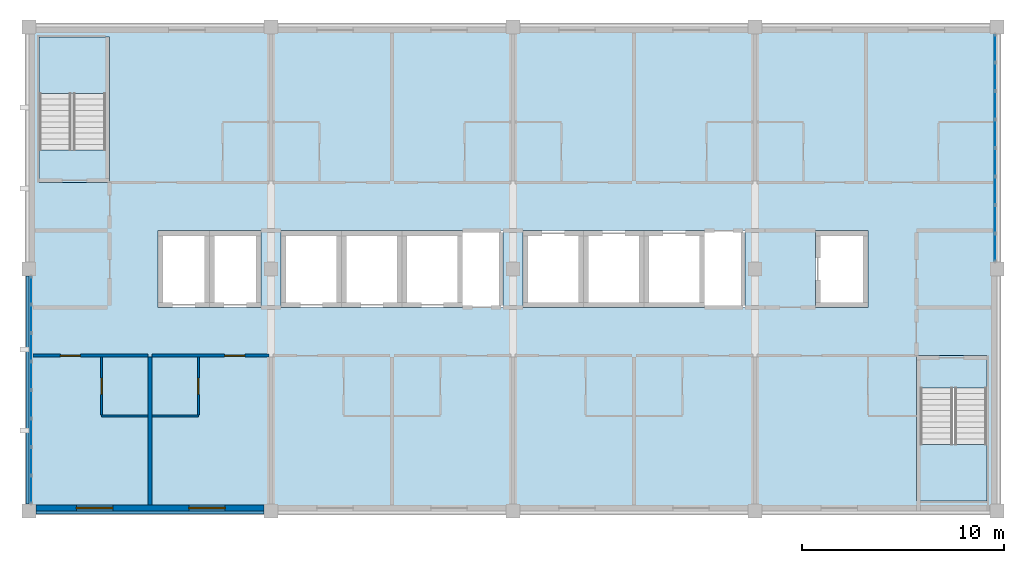
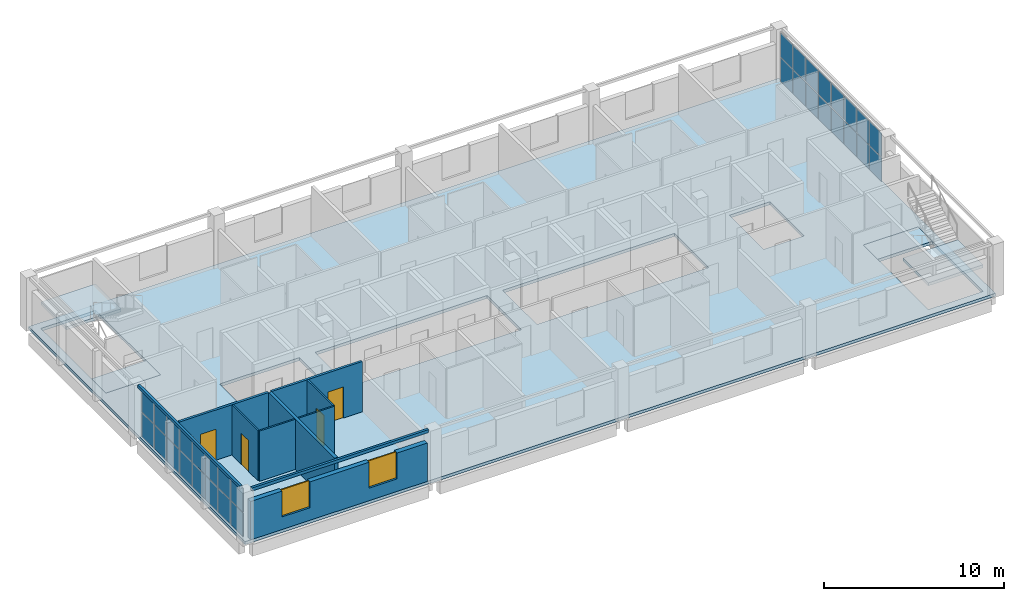
# One storey, part 5 of 11: 32 plates, 10 walls, 5 slabs, 4 doors, 2 windows, 6 openings, 4 elements without a shape of their own.
"""IFC4 building model written with IfcOpenShell, lengths in metres."""

from ifc_helpers import new_model, si_unit, direction, frame, frame_2d, origin, origin_2d, place, context, subcontext, project, spatial, polyline, rectangle, outline, extrude, material, layer, layer_set, type_object, element, fill, aggregate, save


model = new_model("IFC4")

# Units and contexts
model_context = context("Model", 3, precision=1e-05, world=origin(), true_north=direction((0.0, 1.0)))
body_context = subcontext(model_context, "Body", "Model", "MODEL_VIEW")
ifc_project = project(units=[si_unit("LENGTHUNIT", "METRE"), si_unit("AREAUNIT", "SQUARE_METRE"), si_unit("VOLUMEUNIT", "CUBIC_METRE"), si_unit("PLANEANGLEUNIT", "RADIAN"), si_unit("MASSUNIT", "GRAM", prefix="KILO")], contexts=[model_context])

# Site, building, storey
site_placement = place(None, origin())
site = spatial("IfcSite", under=ifc_project, at=site_placement, CompositionType="ELEMENT")
building_placement = place(site_placement, origin())
building = spatial("IfcBuilding", under=site, at=building_placement, Name="Lilac Gate Convention Centre", CompositionType="ELEMENT")
storey_placement = place(building_placement, frame((0.0, 0.0, 60.60009765625)))
storey = spatial("IfcBuildingStorey", under=building, at=storey_placement, Name="L15", CompositionType="ELEMENT", Elevation=60.60009765625)

# Curtain wall, plates
ifc_material_1 = material(Name="Aluminium framed double glazing", Category="aluminium")
ifc_layer_1 = layer(ifc_material_1, 0.199951171875)
ifc_layer_set_1 = layer_set([ifc_layer_1], Name="Aluminium framed double glazing")
curtain_wall_type = type_object("IfcCurtainWallType", Name="Unitised curtain wall 1500", PredefinedType="NOTDEFINED", material=ifc_layer_set_1)
curtain_wall_1_placement = place(storey_placement, origin())
curtain_wall_1 = element("IfcCurtainWall", 1, at=curtain_wall_1_placement, inside=storey, type_object=curtain_wall_type, Name="Curtain wall E L15 2", PredefinedType="NOTDEFINED")
ifc_material_2 = material(Name="Double glazed unit low emissivity")
ifc_layer_2 = layer(ifc_material_2, 0.028076171875)
ifc_layer_set_2 = layer_set([ifc_layer_2], Name="Double glazed unit low emissivity")
plate_type_1 = type_object("IfcPlateType", Name="Curtain wall glass panel 28", PredefinedType="CURTAIN_PANEL", material=ifc_layer_set_2)
plate_1_placement = place(storey_placement, frame((89.89990234375, 235.0712890625, 1.72998046875), z_axis=(0.0, 0.0, 1.0), x_axis=(0.0, 1.0, 0.0)))
plate_1 = element("IfcPlate", 2, at=plate_1_placement, type_object=plate_type_1, Name="CW panel 1.2", PredefinedType="CURTAIN_PANEL", context=body_context, shape_type="SweptSolid", body=[
    extrude(rectangle(XDim=1.322509765625, YDim=0.028076171875, at=origin_2d()), origin(), (0.0, 0.0, 1.0), 1.610107421875),
])
plate_2_placement = place(storey_placement, frame((89.89990234375, 236.46875, 1.72998046875), z_axis=(0.0, 0.0, 1.0), x_axis=(0.0, 1.0, 0.0)))
plate_2 = element("IfcPlate", 3, at=plate_2_placement, type_object=plate_type_1, Name="CW panel 2.2", PredefinedType="CURTAIN_PANEL", context=body_context, shape_type="SweptSolid", body=[
    extrude(rectangle(XDim=1.3525390625, YDim=0.028076171875, at=origin_2d()), origin(), (0.0, 0.0, 1.0), 1.610107421875),
])
plate_3_placement = place(storey_placement, frame((89.89990234375, 237.88134765625, 1.72998046875), z_axis=(0.0, 0.0, 1.0), x_axis=(0.0, 1.0, 0.0)))
plate_3 = element("IfcPlate", 4, at=plate_3_placement, type_object=plate_type_1, Name="CW panel 3.2", PredefinedType="CURTAIN_PANEL", context=body_context, shape_type="SweptSolid", body=[
    extrude(rectangle(XDim=1.3525390625, YDim=0.028076171875, at=origin_2d()), origin(), (0.0, 0.0, 1.0), 1.610107421875),
])
plate_4_placement = place(storey_placement, frame((89.89990234375, 239.293701171875, 1.72998046875), z_axis=(0.0, 0.0, 1.0), x_axis=(0.0, 1.0, 0.0)))
plate_4 = element("IfcPlate", 5, at=plate_4_placement, type_object=plate_type_1, Name="CW panel 4.2", PredefinedType="CURTAIN_PANEL", context=body_context, shape_type="SweptSolid", body=[
    extrude(rectangle(XDim=1.3525390625, YDim=0.028076171875, at=origin_2d()), origin(), (0.0, 0.0, 1.0), 1.610107421875),
])
plate_5_placement = place(storey_placement, frame((89.89990234375, 240.706298828125, 1.72998046875), z_axis=(0.0, 0.0, 1.0), x_axis=(0.0, 1.0, 0.0)))
plate_5 = element("IfcPlate", 6, at=plate_5_placement, type_object=plate_type_1, Name="CW panel 5.2", PredefinedType="CURTAIN_PANEL", context=body_context, shape_type="SweptSolid", body=[
    extrude(rectangle(XDim=1.3525390625, YDim=0.028076171875, at=origin_2d()), origin(), (0.0, 0.0, 1.0), 1.610107421875),
])
plate_6_placement = place(storey_placement, frame((89.89990234375, 242.11865234375, 1.72998046875), z_axis=(0.0, 0.0, 1.0), x_axis=(0.0, 1.0, 0.0)))
plate_6 = element("IfcPlate", 7, at=plate_6_placement, type_object=plate_type_1, Name="CW panel 6.2", PredefinedType="CURTAIN_PANEL", context=body_context, shape_type="SweptSolid", body=[
    extrude(rectangle(XDim=1.3525390625, YDim=0.028076171875, at=origin_2d()), origin(), (0.0, 0.0, 1.0), 1.610107421875),
])
plate_7_placement = place(storey_placement, frame((89.89990234375, 243.53125, 1.72998046875), z_axis=(0.0, 0.0, 1.0), x_axis=(0.0, 1.0, 0.0)))
plate_7 = element("IfcPlate", 8, at=plate_7_placement, type_object=plate_type_1, Name="CW panel 7.2", PredefinedType="CURTAIN_PANEL", context=body_context, shape_type="SweptSolid", body=[
    extrude(rectangle(XDim=1.3525390625, YDim=0.028076171875, at=origin_2d()), origin(), (0.0, 0.0, 1.0), 1.610107421875),
])
plate_8_placement = place(storey_placement, frame((89.89990234375, 244.9287109375, 1.72998046875), z_axis=(0.0, 0.0, 1.0), x_axis=(0.0, 1.0, 0.0)))
plate_8 = element("IfcPlate", 9, at=plate_8_placement, type_object=plate_type_1, Name="CW panel 8.2", PredefinedType="CURTAIN_PANEL", context=body_context, shape_type="SweptSolid", body=[
    extrude(rectangle(XDim=1.322509765625, YDim=0.028076171875, at=origin_2d()), origin(), (0.0, 0.0, 1.0), 1.610107421875),
])

curtain_wall_2_placement = place(storey_placement, origin())
curtain_wall_2 = element("IfcCurtainWall", 10, at=curtain_wall_2_placement, inside=storey, type_object=curtain_wall_type, Name="Curtain wall W L15 2", PredefinedType="NOTDEFINED")
plate_9_placement = place(storey_placement, frame((42.10009765625, 232.9287109375, 1.72998046875), z_axis=(0.0, 0.0, 1.0), x_axis=(0.0, -1.0, 0.0)))
plate_9 = element("IfcPlate", 11, at=plate_9_placement, type_object=plate_type_1, Name="CW panel 1.2", PredefinedType="CURTAIN_PANEL", context=body_context, shape_type="SweptSolid", body=[
    extrude(rectangle(XDim=1.322509765625, YDim=0.028076171875, at=origin_2d()), origin(), (0.0, 0.0, 1.0), 1.610107421875),
])
plate_10_placement = place(storey_placement, frame((42.10009765625, 231.53125, 1.72998046875), z_axis=(0.0, 0.0, 1.0), x_axis=(0.0, -1.0, 0.0)))
plate_10 = element("IfcPlate", 12, at=plate_10_placement, type_object=plate_type_1, Name="CW panel 2.2", PredefinedType="CURTAIN_PANEL", context=body_context, shape_type="SweptSolid", body=[
    extrude(rectangle(XDim=1.3525390625, YDim=0.028076171875, at=origin_2d()), origin(), (0.0, 0.0, 1.0), 1.610107421875),
])
plate_11_placement = place(storey_placement, frame((42.10009765625, 230.11865234375, 1.72998046875), z_axis=(0.0, 0.0, 1.0), x_axis=(0.0, -1.0, 0.0)))
plate_11 = element("IfcPlate", 13, at=plate_11_placement, type_object=plate_type_1, Name="CW panel 3.2", PredefinedType="CURTAIN_PANEL", context=body_context, shape_type="SweptSolid", body=[
    extrude(rectangle(XDim=1.3525390625, YDim=0.028076171875, at=origin_2d()), origin(), (0.0, 0.0, 1.0), 1.610107421875),
])
plate_12_placement = place(storey_placement, frame((42.10009765625, 228.706298828125, 1.72998046875), z_axis=(0.0, 0.0, 1.0), x_axis=(0.0, -1.0, 0.0)))
plate_12 = element("IfcPlate", 14, at=plate_12_placement, type_object=plate_type_1, Name="CW panel 4.2", PredefinedType="CURTAIN_PANEL", context=body_context, shape_type="SweptSolid", body=[
    extrude(rectangle(XDim=1.3525390625, YDim=0.028076171875, at=origin_2d()), origin(), (0.0, 0.0, 1.0), 1.610107421875),
])
plate_13_placement = place(storey_placement, frame((42.10009765625, 227.293701171875, 1.72998046875), z_axis=(0.0, 0.0, 1.0), x_axis=(0.0, -1.0, 0.0)))
plate_13 = element("IfcPlate", 15, at=plate_13_placement, type_object=plate_type_1, Name="CW panel 5.2", PredefinedType="CURTAIN_PANEL", context=body_context, shape_type="SweptSolid", body=[
    extrude(rectangle(XDim=1.3525390625, YDim=0.028076171875, at=origin_2d()), origin(), (0.0, 0.0, 1.0), 1.610107421875),
])
plate_14_placement = place(storey_placement, frame((42.10009765625, 225.88134765625, 1.72998046875), z_axis=(0.0, 0.0, 1.0), x_axis=(0.0, -1.0, 0.0)))
plate_14 = element("IfcPlate", 16, at=plate_14_placement, type_object=plate_type_1, Name="CW panel 6.2", PredefinedType="CURTAIN_PANEL", context=body_context, shape_type="SweptSolid", body=[
    extrude(rectangle(XDim=1.3525390625, YDim=0.028076171875, at=origin_2d()), origin(), (0.0, 0.0, 1.0), 1.610107421875),
])
plate_15_placement = place(storey_placement, frame((42.10009765625, 224.46875, 1.72998046875), z_axis=(0.0, 0.0, 1.0), x_axis=(0.0, -1.0, 0.0)))
plate_15 = element("IfcPlate", 17, at=plate_15_placement, type_object=plate_type_1, Name="CW panel 7.2", PredefinedType="CURTAIN_PANEL", context=body_context, shape_type="SweptSolid", body=[
    extrude(rectangle(XDim=1.3525390625, YDim=0.028076171875, at=origin_2d()), origin(), (0.0, 0.0, 1.0), 1.610107421875),
])
plate_16_placement = place(storey_placement, frame((42.10009765625, 223.0712890625, 1.72998046875), z_axis=(0.0, 0.0, 1.0), x_axis=(0.0, -1.0, 0.0)))
plate_16 = element("IfcPlate", 18, at=plate_16_placement, type_object=plate_type_1, Name="CW panel 8.2", PredefinedType="CURTAIN_PANEL", context=body_context, shape_type="SweptSolid", body=[
    extrude(rectangle(XDim=1.322509765625, YDim=0.028076171875, at=origin_2d()), origin(), (0.0, 0.0, 1.0), 1.610107421875),
])

# Plate
ifc_material_3 = material(Name="Insulated aluminium spandrel panel", Category="aluminium")
ifc_layer_3 = layer(ifc_material_3, 0.028076171875)
ifc_layer_set_3 = layer_set([ifc_layer_3], Name="Insulated aluminium spandrel panel")
plate_type_2 = type_object("IfcPlateType", Name="Curtain wall spandrel panel 28", PredefinedType="CURTAIN_PANEL", material=ifc_layer_set_3)
plate_17_placement = place(storey_placement, frame((89.89990234375, 235.0712890625, 0.06005859375), z_axis=(0.0, 0.0, 1.0), x_axis=(0.0, 1.0, 0.0)))
plate_17 = element("IfcPlate", 19, at=plate_17_placement, type_object=plate_type_2, Name="CW spandrel 1.1", PredefinedType="CURTAIN_PANEL", context=body_context, shape_type="SweptSolid", body=[
    extrude(rectangle(XDim=1.322509765625, YDim=0.028076171875, at=origin_2d()), origin(), (0.0, 0.0, 1.0), 1.60986328125),
])

plate_18_placement = place(storey_placement, frame((89.89990234375, 236.46875, 0.06005859375), z_axis=(0.0, 0.0, 1.0), x_axis=(0.0, 1.0, 0.0)))
plate_18 = element("IfcPlate", 20, at=plate_18_placement, type_object=plate_type_2, Name="CW spandrel 2.1", PredefinedType="CURTAIN_PANEL", context=body_context, shape_type="SweptSolid", body=[
    extrude(rectangle(XDim=1.3525390625, YDim=0.028076171875, at=origin_2d()), origin(), (0.0, 0.0, 1.0), 1.60986328125),
])

plate_19_placement = place(storey_placement, frame((89.89990234375, 237.88134765625, 0.06005859375), z_axis=(0.0, 0.0, 1.0), x_axis=(0.0, 1.0, 0.0)))
plate_19 = element("IfcPlate", 21, at=plate_19_placement, type_object=plate_type_2, Name="CW spandrel 3.1", PredefinedType="CURTAIN_PANEL", context=body_context, shape_type="SweptSolid", body=[
    extrude(rectangle(XDim=1.3525390625, YDim=0.028076171875, at=origin_2d()), origin(), (0.0, 0.0, 1.0), 1.60986328125),
])

plate_20_placement = place(storey_placement, frame((89.89990234375, 239.293701171875, 0.06005859375), z_axis=(0.0, 0.0, 1.0), x_axis=(0.0, 1.0, 0.0)))
plate_20 = element("IfcPlate", 22, at=plate_20_placement, type_object=plate_type_2, Name="CW spandrel 4.1", PredefinedType="CURTAIN_PANEL", context=body_context, shape_type="SweptSolid", body=[
    extrude(rectangle(XDim=1.3525390625, YDim=0.028076171875, at=origin_2d()), origin(), (0.0, 0.0, 1.0), 1.60986328125),
])

plate_21_placement = place(storey_placement, frame((89.89990234375, 240.706298828125, 0.06005859375), z_axis=(0.0, 0.0, 1.0), x_axis=(0.0, 1.0, 0.0)))
plate_21 = element("IfcPlate", 23, at=plate_21_placement, type_object=plate_type_2, Name="CW spandrel 5.1", PredefinedType="CURTAIN_PANEL", context=body_context, shape_type="SweptSolid", body=[
    extrude(rectangle(XDim=1.3525390625, YDim=0.028076171875, at=origin_2d()), origin(), (0.0, 0.0, 1.0), 1.60986328125),
])

plate_22_placement = place(storey_placement, frame((89.89990234375, 242.11865234375, 0.06005859375), z_axis=(0.0, 0.0, 1.0), x_axis=(0.0, 1.0, 0.0)))
plate_22 = element("IfcPlate", 24, at=plate_22_placement, type_object=plate_type_2, Name="CW spandrel 6.1", PredefinedType="CURTAIN_PANEL", context=body_context, shape_type="SweptSolid", body=[
    extrude(rectangle(XDim=1.3525390625, YDim=0.028076171875, at=origin_2d()), origin(), (0.0, 0.0, 1.0), 1.60986328125),
])

plate_23_placement = place(storey_placement, frame((89.89990234375, 243.53125, 0.06005859375), z_axis=(0.0, 0.0, 1.0), x_axis=(0.0, 1.0, 0.0)))
plate_23 = element("IfcPlate", 25, at=plate_23_placement, type_object=plate_type_2, Name="CW spandrel 7.1", PredefinedType="CURTAIN_PANEL", context=body_context, shape_type="SweptSolid", body=[
    extrude(rectangle(XDim=1.3525390625, YDim=0.028076171875, at=origin_2d()), origin(), (0.0, 0.0, 1.0), 1.60986328125),
])

plate_24_placement = place(storey_placement, frame((89.89990234375, 244.9287109375, 0.06005859375), z_axis=(0.0, 0.0, 1.0), x_axis=(0.0, 1.0, 0.0)))
plate_24 = element("IfcPlate", 26, at=plate_24_placement, type_object=plate_type_2, Name="CW spandrel 8.1", PredefinedType="CURTAIN_PANEL", context=body_context, shape_type="SweptSolid", body=[
    extrude(rectangle(XDim=1.322509765625, YDim=0.028076171875, at=origin_2d()), origin(), (0.0, 0.0, 1.0), 1.60986328125),
])

aggregate(curtain_wall_1, [plate_17, plate_1, plate_18, plate_2, plate_19, plate_3, plate_20, plate_4, plate_21, plate_5, plate_22, plate_6, plate_23, plate_7, plate_24, plate_8])

plate_25_placement = place(storey_placement, frame((42.10009765625, 232.9287109375, 0.06005859375), z_axis=(0.0, 0.0, 1.0), x_axis=(0.0, -1.0, 0.0)))
plate_25 = element("IfcPlate", 27, at=plate_25_placement, type_object=plate_type_2, Name="CW spandrel 1.1", PredefinedType="CURTAIN_PANEL", context=body_context, shape_type="SweptSolid", body=[
    extrude(rectangle(XDim=1.322509765625, YDim=0.028076171875, at=origin_2d()), origin(), (0.0, 0.0, 1.0), 1.60986328125),
])

plate_26_placement = place(storey_placement, frame((42.10009765625, 231.53125, 0.06005859375), z_axis=(0.0, 0.0, 1.0), x_axis=(0.0, -1.0, 0.0)))
plate_26 = element("IfcPlate", 28, at=plate_26_placement, type_object=plate_type_2, Name="CW spandrel 2.1", PredefinedType="CURTAIN_PANEL", context=body_context, shape_type="SweptSolid", body=[
    extrude(rectangle(XDim=1.3525390625, YDim=0.028076171875, at=origin_2d()), origin(), (0.0, 0.0, 1.0), 1.60986328125),
])

plate_27_placement = place(storey_placement, frame((42.10009765625, 230.11865234375, 0.06005859375), z_axis=(0.0, 0.0, 1.0), x_axis=(0.0, -1.0, 0.0)))
plate_27 = element("IfcPlate", 29, at=plate_27_placement, type_object=plate_type_2, Name="CW spandrel 3.1", PredefinedType="CURTAIN_PANEL", context=body_context, shape_type="SweptSolid", body=[
    extrude(rectangle(XDim=1.3525390625, YDim=0.028076171875, at=origin_2d()), origin(), (0.0, 0.0, 1.0), 1.60986328125),
])

plate_28_placement = place(storey_placement, frame((42.10009765625, 228.706298828125, 0.06005859375), z_axis=(0.0, 0.0, 1.0), x_axis=(0.0, -1.0, 0.0)))
plate_28 = element("IfcPlate", 30, at=plate_28_placement, type_object=plate_type_2, Name="CW spandrel 4.1", PredefinedType="CURTAIN_PANEL", context=body_context, shape_type="SweptSolid", body=[
    extrude(rectangle(XDim=1.3525390625, YDim=0.028076171875, at=origin_2d()), origin(), (0.0, 0.0, 1.0), 1.60986328125),
])

plate_29_placement = place(storey_placement, frame((42.10009765625, 227.293701171875, 0.06005859375), z_axis=(0.0, 0.0, 1.0), x_axis=(0.0, -1.0, 0.0)))
plate_29 = element("IfcPlate", 31, at=plate_29_placement, type_object=plate_type_2, Name="CW spandrel 5.1", PredefinedType="CURTAIN_PANEL", context=body_context, shape_type="SweptSolid", body=[
    extrude(rectangle(XDim=1.3525390625, YDim=0.028076171875, at=origin_2d()), origin(), (0.0, 0.0, 1.0), 1.60986328125),
])

plate_30_placement = place(storey_placement, frame((42.10009765625, 225.88134765625, 0.06005859375), z_axis=(0.0, 0.0, 1.0), x_axis=(0.0, -1.0, 0.0)))
plate_30 = element("IfcPlate", 32, at=plate_30_placement, type_object=plate_type_2, Name="CW spandrel 6.1", PredefinedType="CURTAIN_PANEL", context=body_context, shape_type="SweptSolid", body=[
    extrude(rectangle(XDim=1.3525390625, YDim=0.028076171875, at=origin_2d()), origin(), (0.0, 0.0, 1.0), 1.60986328125),
])

plate_31_placement = place(storey_placement, frame((42.10009765625, 224.46875, 0.06005859375), z_axis=(0.0, 0.0, 1.0), x_axis=(0.0, -1.0, 0.0)))
plate_31 = element("IfcPlate", 33, at=plate_31_placement, type_object=plate_type_2, Name="CW spandrel 7.1", PredefinedType="CURTAIN_PANEL", context=body_context, shape_type="SweptSolid", body=[
    extrude(rectangle(XDim=1.3525390625, YDim=0.028076171875, at=origin_2d()), origin(), (0.0, 0.0, 1.0), 1.60986328125),
])

plate_32_placement = place(storey_placement, frame((42.10009765625, 223.0712890625, 0.06005859375), z_axis=(0.0, 0.0, 1.0), x_axis=(0.0, -1.0, 0.0)))
plate_32 = element("IfcPlate", 34, at=plate_32_placement, type_object=plate_type_2, Name="CW spandrel 8.1", PredefinedType="CURTAIN_PANEL", context=body_context, shape_type="SweptSolid", body=[
    extrude(rectangle(XDim=1.322509765625, YDim=0.028076171875, at=origin_2d()), origin(), (0.0, 0.0, 1.0), 1.60986328125),
])

aggregate(curtain_wall_2, [plate_25, plate_9, plate_26, plate_10, plate_27, plate_11, plate_28, plate_12, plate_29, plate_13, plate_30, plate_14, plate_31, plate_15, plate_32, plate_16])

# Stair, slabs
ifc_material_4 = material(Name="Concrete C40", Category="concrete")
stair_type = type_object("IfcStairType", Name="Exit stair", PredefinedType="DOUBLE_RETURN_STAIR", material=ifc_material_4)
stair_1_placement = place(storey_placement, origin())
stair_1 = element("IfcStair", 35, at=stair_1_placement, inside=storey, type_object=stair_type, Name="Exit stair NW L15", PredefinedType="DOUBLE_RETURN_STAIR")
ifc_layer_4 = layer(ifc_material_4, 0.199951171875)
ifc_layer_set_4 = layer_set([ifc_layer_4], Name="Concrete C40")
slab_type_1 = type_object("IfcSlabType", Name="Exit stair landing", PredefinedType="LANDING", material=ifc_layer_set_4)
slab_1_placement = place(storey_placement, frame((0.0, 0.0, -0.2001953125)))
slab_1 = element("IfcSlab", 36, at=slab_1_placement, type_object=slab_type_1, Name="ST-NW landing 1", PredefinedType="LANDING", context=body_context, shape_type="SweptSolid", body=[
    extrude(outline(polyline([(42.5, 238.300048828125), (46.0, 238.300048828125), (46.0, 239.89990234375), (42.5, 239.89990234375), (42.5, 238.300048828125)])), origin(), (0.0, 0.0, 1.0), 0.2001953125),
])
slab_2_placement = place(storey_placement, frame((0.0, 0.0, 1.599853515625)))
slab_2 = element("IfcSlab", 37, at=slab_2_placement, type_object=slab_type_1, Name="ST-NW landing 2", PredefinedType="LANDING", context=body_context, shape_type="SweptSolid", body=[
    extrude(outline(polyline([(42.5, 242.699951171875), (46.0, 242.699951171875), (46.0, 245.5), (42.5, 245.5), (42.5, 242.699951171875)])), origin(), (0.0, 0.0, 1.0), 0.199951171875),
])
aggregate(stair_1, [slab_1, slab_2])

stair_2_placement = place(storey_placement, origin())
stair_2 = element("IfcStair", 38, at=stair_2_placement, inside=storey, type_object=stair_type, Name="Exit stair SE L15", PredefinedType="DOUBLE_RETURN_STAIR")
slab_3_placement = place(storey_placement, frame((0.0, 0.0, -0.2001953125)))
slab_3 = element("IfcSlab", 39, at=slab_3_placement, type_object=slab_type_1, Name="ST-SE landing 1", PredefinedType="LANDING", context=body_context, shape_type="SweptSolid", body=[
    extrude(outline(polyline([(86.0, 228.10009765625), (89.5, 228.10009765625), (89.5, 229.699951171875), (86.0, 229.699951171875), (86.0, 228.10009765625)])), origin(), (0.0, 0.0, 1.0), 0.2001953125),
])
slab_4_placement = place(storey_placement, frame((0.0, 0.0, 1.599853515625)))
slab_4 = element("IfcSlab", 40, at=slab_4_placement, type_object=slab_type_1, Name="ST-SE landing 2", PredefinedType="LANDING", context=body_context, shape_type="SweptSolid", body=[
    extrude(outline(polyline([(86.0, 222.5), (89.5, 222.5), (89.5, 225.300048828125), (86.0, 225.300048828125), (86.0, 222.5)])), origin(), (0.0, 0.0, 1.0), 0.199951171875),
])
aggregate(stair_2, [slab_3, slab_4])

# Slab
ifc_layer_5 = layer(ifc_material_4, 0.199951171875)
ifc_layer_set_5 = layer_set([ifc_layer_5], Name="Concrete C40")
slab_type_2 = type_object("IfcSlabType", Name="Floor slab 200 C40", PredefinedType="FLOOR", material=ifc_layer_set_5)
slab_5_placement = place(storey_placement, frame((0.0, 0.0, -0.2001953125)))
element("IfcSlab", 41, at=slab_5_placement, inside=storey, type_object=slab_type_2, Name="FS3 slab L15 1", PredefinedType="FLOOR", context=body_context, shape_type="SweptSolid", body=[
    extrude(outline(polyline([(42.0, 222.0), (42.0, 246.0), (90.0, 246.0), (90.0, 222.0), (42.0, 222.0)]), holes=[polyline([(48.39990234375, 235.89990234375), (48.39990234375, 232.10009765625), (50.949951171875, 232.10009765625), (53.5, 232.10009765625), (53.5, 235.89990234375), (50.949951171875, 235.89990234375), (48.39990234375, 235.89990234375)]), polyline([(57.5, 235.89990234375), (54.5, 235.89990234375), (54.5, 232.10009765625), (57.5, 232.10009765625), (60.5, 232.10009765625), (63.5, 232.10009765625), (65.5, 232.10009765625), (65.5, 235.89990234375), (63.5, 235.89990234375), (60.5, 235.89990234375), (57.5, 235.89990234375)]), polyline([(42.5, 245.5), (42.5, 238.300048828125), (46.0, 238.300048828125), (46.0, 245.5), (42.5, 245.5)]), polyline([(89.5, 229.699951171875), (86.0, 229.699951171875), (86.0, 222.5), (89.5, 222.5), (89.5, 229.699951171875)]), polyline([(69.5, 235.89990234375), (66.5, 235.89990234375), (66.5, 232.10009765625), (69.5, 232.10009765625), (72.5, 232.10009765625), (75.5, 232.10009765625), (77.5, 232.10009765625), (77.5, 235.89990234375), (75.5, 235.89990234375), (72.5, 235.89990234375), (69.5, 235.89990234375)]), polyline([(83.60009765625, 235.89990234375), (81.0, 235.89990234375), (81.0, 232.10009765625), (83.60009765625, 232.10009765625), (83.60009765625, 235.89990234375)])]), origin(), (0.0, 0.0, 1.0), 0.2001953125),
])

# Wall, opening, door
ifc_material_5 = material(Name="Gypsum board on steel stud", Category="steel")
ifc_layer_6 = layer(ifc_material_5, 0.14990234375)
ifc_layer_set_6 = layer_set([ifc_layer_6], Name="Gypsum board on steel stud")
wall_type_1 = type_object("IfcWallType", Name="Corridor wall 150", PredefinedType="PARTITIONING", material=ifc_layer_set_6)
wall_1_placement = place(storey_placement, frame((47.89990234375, 229.699951171875, 0.0), z_axis=(0.0, 0.0, 1.0), x_axis=(-1.0, 0.0, 0.0)))
wall_1 = element("IfcWall", 42, at=wall_1_placement, inside=storey, type_object=wall_type_1, Name="Corridor wall 150 front 1501", PredefinedType="PARTITIONING", context=body_context, shape_type="SweptSolid", body=[
    extrude(rectangle(XDim=5.69970703125, YDim=0.14990234375, at=frame_2d((2.849853515625, 0.0))), origin(), (0.0, 0.0, 1.0), 3.39990234375),
])
opening_1_placement = place(wall_1_placement, frame((3.35009765625, 0.0, 0.0)))
opening_1 = element("IfcOpeningElement", 43, at=opening_1_placement, cuts=wall_1, Name="Opening T15-008", PredefinedType="OPENING", context=body_context, shape_type="SweptSolid", body=[
    extrude(rectangle(XDim=1.0, YDim=2.10009765625, at=frame_2d((0.5, 1.050048828125))), frame((0.0, 0.0849609375, 0.0), z_axis=(0.0, -1.0, 0.0), x_axis=(1.0, 0.0, 0.0)), (0.0, 0.0, 1.0), 0.169921875),
])
ifc_material_6 = material(Name="Timber", Category="wood")
door_type_1 = type_object("IfcDoorType", Name="Guest room entrance door 1000", OperationType="SINGLE_SWING_LEFT", PredefinedType="DOOR", material=ifc_material_6)
door_1_placement = place(opening_1_placement, origin())
door_1 = element("IfcDoor", 44, at=door_1_placement, inside=storey, type_object=door_type_1, Name="Guest room door 1501", OperationType="SINGLE_SWING_LEFT", OverallHeight=2.10009765625, OverallWidth=1.0, PredefinedType="DOOR", context=body_context, shape_type="SweptSolid", body=[
    extrude(rectangle(XDim=1.0, YDim=2.10009765625, at=frame_2d((0.5, 1.050048828125))), frame((0.0, 0.02490234375, 0.0), z_axis=(0.0, -1.0, 0.0), x_axis=(1.0, 0.0, 0.0)), (0.0, 0.0, 1.0), 0.050048828125),
])
fill(opening_1, door_1)

wall_2_placement = place(storey_placement, frame((53.89990234375, 229.699951171875, 0.0), z_axis=(0.0, 0.0, 1.0), x_axis=(-1.0, 0.0, 0.0)))
wall_2 = element("IfcWall", 45, at=wall_2_placement, inside=storey, type_object=wall_type_1, Name="Corridor wall 150 front 1502", PredefinedType="PARTITIONING", context=body_context, shape_type="SweptSolid", body=[
    extrude(rectangle(XDim=5.7998046875, YDim=0.14990234375, at=frame_2d((2.89990234375, 0.0))), origin(), (0.0, 0.0, 1.0), 3.39990234375),
])
opening_2_placement = place(wall_2_placement, frame((1.199951171875, 0.0, 0.0)))
opening_2 = element("IfcOpeningElement", 46, at=opening_2_placement, cuts=wall_2, Name="Opening T15-010", PredefinedType="OPENING", context=body_context, shape_type="SweptSolid", body=[
    extrude(rectangle(XDim=1.0, YDim=2.10009765625, at=frame_2d((0.5, 1.050048828125))), frame((0.0, 0.0849609375, 0.0), z_axis=(0.0, -1.0, 0.0), x_axis=(1.0, 0.0, 0.0)), (0.0, 0.0, 1.0), 0.169921875),
])
door_2_placement = place(opening_2_placement, origin())
door_2 = element("IfcDoor", 47, at=door_2_placement, inside=storey, type_object=door_type_1, Name="Guest room door 1502", OperationType="SINGLE_SWING_LEFT", OverallHeight=2.10009765625, OverallWidth=1.0, PredefinedType="DOOR", context=body_context, shape_type="SweptSolid", body=[
    extrude(rectangle(XDim=1.0, YDim=2.10009765625, at=frame_2d((0.5, 1.050048828125))), frame((0.0, 0.02490234375, 0.0), z_axis=(0.0, -1.0, 0.0), x_axis=(1.0, 0.0, 0.0)), (0.0, 0.0, 1.0), 0.050048828125),
])
fill(opening_2, door_2)

# Wall
ifc_layer_7 = layer(ifc_material_5, 0.10009765625)
ifc_layer_set_7 = layer_set([ifc_layer_7], Name="Gypsum board on steel stud")
wall_type_2 = type_object("IfcWallType", Name="En-suite wall 100", PredefinedType="PARTITIONING", material=ifc_layer_set_7)
wall_3_placement = place(storey_placement, frame((45.60009765625, 226.699951171875, 0.0), z_axis=(0.0, 0.0, 1.0), x_axis=(1.0, 0.0, 0.0)))
element("IfcWall", 48, at=wall_3_placement, inside=storey, type_object=wall_type_2, Name="En-suite wall 100 bath 1501", PredefinedType="PARTITIONING", context=body_context, shape_type="SweptSolid", body=[
    extrude(rectangle(XDim=2.2998046875, YDim=0.10009765625, at=frame_2d((1.14990234375, 0.0))), origin(), (0.0, 0.0, 1.0), 3.39990234375),
])

# Wall, opening, door
wall_4_placement = place(storey_placement, frame((45.60009765625, 226.75, 0.0), z_axis=(0.0, 0.0, 1.0), x_axis=(0.0, 1.0, 0.0)))
wall_4 = element("IfcWall", 49, at=wall_4_placement, inside=storey, type_object=wall_type_2, Name="En-suite wall 100 bath side 1501", PredefinedType="PARTITIONING", context=body_context, shape_type="SweptSolid", body=[
    extrude(rectangle(XDim=2.875, YDim=0.10009765625, at=frame_2d((1.4375, 0.0))), origin(), (0.0, 0.0, 1.0), 3.39990234375),
])
opening_3_placement = place(wall_4_placement, frame((1.03759765625, 0.0, 0.0)))
opening_3 = element("IfcOpeningElement", 50, at=opening_3_placement, cuts=wall_4, Name="Opening T15-009", PredefinedType="OPENING", context=body_context, shape_type="SweptSolid", body=[
    extrude(rectangle(XDim=0.800048828125, YDim=2.10009765625, at=frame_2d((0.39990234375, 1.050048828125))), frame((0.0, 0.06005859375, 0.0), z_axis=(0.0, -1.0, 0.0), x_axis=(1.0, 0.0, 0.0)), (0.0, 0.0, 1.0), 0.1201171875),
])
door_type_2 = type_object("IfcDoorType", Name="En-suite door 800", OperationType="SINGLE_SWING_LEFT", PredefinedType="DOOR", material=ifc_material_6)
door_3_placement = place(opening_3_placement, origin())
door_3 = element("IfcDoor", 51, at=door_3_placement, inside=storey, type_object=door_type_2, Name="En-suite door 1501", OperationType="SINGLE_SWING_RIGHT", OverallHeight=2.10009765625, OverallWidth=0.800048828125, PredefinedType="DOOR", context=body_context, shape_type="SweptSolid", body=[
    extrude(rectangle(XDim=0.800048828125, YDim=2.10009765625, at=frame_2d((0.39990234375, 1.050048828125))), frame((0.0, 0.02490234375, 0.0), z_axis=(0.0, -1.0, 0.0), x_axis=(1.0, 0.0, 0.0)), (0.0, 0.0, 1.0), 0.050048828125),
])
fill(opening_3, door_3)

# Wall
wall_5_placement = place(storey_placement, frame((48.10009765625, 226.699951171875, 0.0), z_axis=(0.0, 0.0, 1.0), x_axis=(1.0, 0.0, 0.0)))
element("IfcWall", 52, at=wall_5_placement, inside=storey, type_object=wall_type_2, Name="En-suite wall 100 bath 1502", PredefinedType="PARTITIONING", context=body_context, shape_type="SweptSolid", body=[
    extrude(rectangle(XDim=2.2998046875, YDim=0.10009765625, at=frame_2d((1.14990234375, 0.0))), origin(), (0.0, 0.0, 1.0), 3.39990234375),
])

# Wall, opening, door
wall_6_placement = place(storey_placement, frame((50.39990234375, 229.625, 0.0), z_axis=(0.0, 0.0, 1.0), x_axis=(0.0, -1.0, 0.0)))
wall_6 = element("IfcWall", 53, at=wall_6_placement, inside=storey, type_object=wall_type_2, Name="En-suite wall 100 bath side 1502", PredefinedType="PARTITIONING", context=body_context, shape_type="SweptSolid", body=[
    extrude(rectangle(XDim=2.875, YDim=0.10009765625, at=frame_2d((1.4375, 0.0))), origin(), (0.0, 0.0, 1.0), 3.39990234375),
])
opening_4_placement = place(wall_6_placement, frame((1.03759765625, 0.0, 0.0)))
opening_4 = element("IfcOpeningElement", 54, at=opening_4_placement, cuts=wall_6, Name="Opening T15-011", PredefinedType="OPENING", context=body_context, shape_type="SweptSolid", body=[
    extrude(rectangle(XDim=0.800048828125, YDim=2.10009765625, at=frame_2d((0.39990234375, 1.050048828125))), frame((0.0, 0.06005859375, 0.0), z_axis=(0.0, -1.0, 0.0), x_axis=(1.0, 0.0, 0.0)), (0.0, 0.0, 1.0), 0.1201171875),
])
door_4_placement = place(opening_4_placement, origin())
door_4 = element("IfcDoor", 55, at=door_4_placement, inside=storey, type_object=door_type_2, Name="En-suite door 1502", OperationType="SINGLE_SWING_LEFT", OverallHeight=2.10009765625, OverallWidth=0.800048828125, PredefinedType="DOOR", context=body_context, shape_type="SweptSolid", body=[
    extrude(rectangle(XDim=0.800048828125, YDim=2.10009765625, at=frame_2d((0.39990234375, 1.050048828125))), frame((0.0, 0.02490234375, 0.0), z_axis=(0.0, -1.0, 0.0), x_axis=(1.0, 0.0, 0.0)), (0.0, 0.0, 1.0), 0.050048828125),
])
fill(opening_4, door_4)

# Walls
ifc_layer_8 = layer(ifc_material_5, 0.199951171875)
ifc_layer_set_8 = layer_set([ifc_layer_8], Name="Gypsum board on steel stud")
wall_type_3 = type_object("IfcWallType", Name="Guest room party wall 200", PredefinedType="PARTITIONING", material=ifc_layer_set_8)
wall_7_placement = place(storey_placement, frame((48.0, 222.2998046875, 0.0), z_axis=(0.0, 0.0, 1.0), x_axis=(0.0, 1.0, 0.0)))
element("IfcWall", 56, at=wall_7_placement, inside=storey, type_object=wall_type_3, Name="Guest room party wall 200 party 48.0", PredefinedType="PARTITIONING", context=body_context, shape_type="SweptSolid", body=[
    extrude(rectangle(XDim=7.3251953125, YDim=0.199951171875, at=frame_2d((3.66259765625, 0.0))), origin(), (0.0, 0.0, 1.0), 3.39990234375),
])
ifc_material_7 = material(Name="Concrete C40 precast", Category="concrete")
ifc_layer_9 = layer(ifc_material_7, 0.1298828125)
ifc_material_8 = material(Name="Terracotta glazed cladding", Category="masonry")
ifc_layer_10 = layer(ifc_material_8, 0.02001953125)
ifc_layer_set_9 = layer_set([ifc_layer_9, ifc_layer_10], Name="Concrete C40 precast, Terracotta glazed cladding")
wall_type_4 = type_object("IfcWallType", Name="Precast band terracotta 150", PredefinedType="STANDARD", material=ifc_layer_set_9)
for number, where, z_axis, x_axis, name in (
    (57, (42.35009765625, 221.925048828125, 3.39990234375), (0.0, 0.0, 1.0), (1.0, 0.0, 0.0), "Precast band S L15 1"),
    (58, (41.925048828125, 233.64990234375, 3.39990234375), (0.0, 0.0, 1.0), (0.0, -1.0, 0.0), "Precast band W L15 2"),
):
    element("IfcWall", number, at=place(storey_placement, frame(where, z_axis=z_axis, x_axis=x_axis)), inside=storey, type_object=wall_type_4, Name=name, PredefinedType="STANDARD", context=body_context, shape_type="SweptSolid", body=[
        extrude(rectangle(XDim=11.2998046875, YDim=0.14990234375, at=frame_2d((5.64990234375, 0.0))), origin(), (0.0, 0.0, 1.0), 0.199951171875),
    ])

# Wall, openings, windows
ifc_material_9 = material(Name="Ochre mineral render")
ifc_layer_11 = layer(ifc_material_9, 0.02001953125)
ifc_layer_12 = layer(ifc_material_7, 0.06005859375)
ifc_material_10 = material(Name="Ventilated air cavity")
ifc_layer_13 = layer(ifc_material_10, 0.030029296875)
ifc_material_11 = material(Name="Mineral wool insulation")
ifc_layer_14 = layer(ifc_material_11, 0.1201171875)
ifc_material_12 = material(Name="Steel stud Q345 and gypsum lining", Category="steel")
ifc_layer_15 = layer(ifc_material_12, 0.070068359375)
ifc_layer_set_10 = layer_set([ifc_layer_11, ifc_layer_12, ifc_layer_13, ifc_layer_14, ifc_layer_15], Name="Ochre mineral render, Concrete C40 precast, Ventilated air cavity, Mineral wool insulation, Steel stud Q345 and gypsum lining")
wall_type_5 = type_object("IfcWallType", Name="Precast panel wall ochre 300", PredefinedType="STANDARD", material=ifc_layer_set_10)
wall_8_placement = place(storey_placement, frame((42.35009765625, 222.14990234375, 0.0), z_axis=(0.0, 0.0, 1.0), x_axis=(1.0, 0.0, 0.0)))
wall_8 = element("IfcWall", 59, at=wall_8_placement, inside=storey, type_object=wall_type_5, Name="External wall S L15 1", PredefinedType="STANDARD", context=body_context, shape_type="SweptSolid", body=[
    extrude(rectangle(XDim=11.2998046875, YDim=0.300048828125, at=frame_2d((5.64990234375, 0.0))), origin(), (0.0, 0.0, 1.0), 2.599853515625),
])
opening_5_placement = place(wall_8_placement, frame((2.0, 0.0, 0.85009765625)))
opening_5 = element("IfcOpeningElement", 60, at=opening_5_placement, cuts=wall_8, Name="Opening W1", PredefinedType="OPENING", context=body_context, shape_type="SweptSolid", body=[
    extrude(rectangle(XDim=1.800048828125, YDim=1.75, at=frame_2d((0.89990234375, 0.875))), frame((0.0, 0.159912109375, 0.0), z_axis=(0.0, -1.0, 0.0), x_axis=(1.0, 0.0, 0.0)), (0.0, 0.0, 1.0), 0.320068359375),
])
opening_6_placement = place(wall_8_placement, frame((7.574951171875, 0.0, 0.85009765625)))
opening_6 = element("IfcOpeningElement", 61, at=opening_6_placement, cuts=wall_8, Name="Opening W1", PredefinedType="OPENING", context=body_context, shape_type="SweptSolid", body=[
    extrude(rectangle(XDim=1.800048828125, YDim=1.75, at=frame_2d((0.89990234375, 0.875))), frame((0.0, 0.159912109375, 0.0), z_axis=(0.0, -1.0, 0.0), x_axis=(1.0, 0.0, 0.0)), (0.0, 0.0, 1.0), 0.320068359375),
])
window_type = type_object("IfcWindowType", Name="Guest room window 1800 x 1750", PartitioningType="DOUBLE_PANEL_VERTICAL", PredefinedType="WINDOW", material=ifc_material_1)
window_1_placement = place(opening_5_placement, origin())
window_1 = element("IfcWindow", 62, at=window_1_placement, inside=storey, type_object=window_type, Name="Window Guest S L15", OverallHeight=1.75, OverallWidth=1.800048828125, PartitioningType="SINGLE_PANEL", PredefinedType="WINDOW", context=body_context, shape_type="SweptSolid", body=[
    extrude(rectangle(XDim=1.800048828125, YDim=1.75, at=frame_2d((0.89990234375, 0.875))), frame((0.0, 0.030029296875, 0.0), z_axis=(0.0, -1.0, 0.0), x_axis=(1.0, 0.0, 0.0)), (0.0, 0.0, 1.0), 0.06005859375),
])
fill(opening_5, window_1)
window_2_placement = place(opening_6_placement, origin())
window_2 = element("IfcWindow", 63, at=window_2_placement, inside=storey, type_object=window_type, Name="Window Guest S L15", OverallHeight=1.75, OverallWidth=1.800048828125, PartitioningType="SINGLE_PANEL", PredefinedType="WINDOW", context=body_context, shape_type="SweptSolid", body=[
    extrude(rectangle(XDim=1.800048828125, YDim=1.75, at=frame_2d((0.89990234375, 0.875))), frame((0.0, 0.030029296875, 0.0), z_axis=(0.0, -1.0, 0.0), x_axis=(1.0, 0.0, 0.0)), (0.0, 0.0, 1.0), 0.06005859375),
])
fill(opening_6, window_2)

save(model, "model.ifc")
